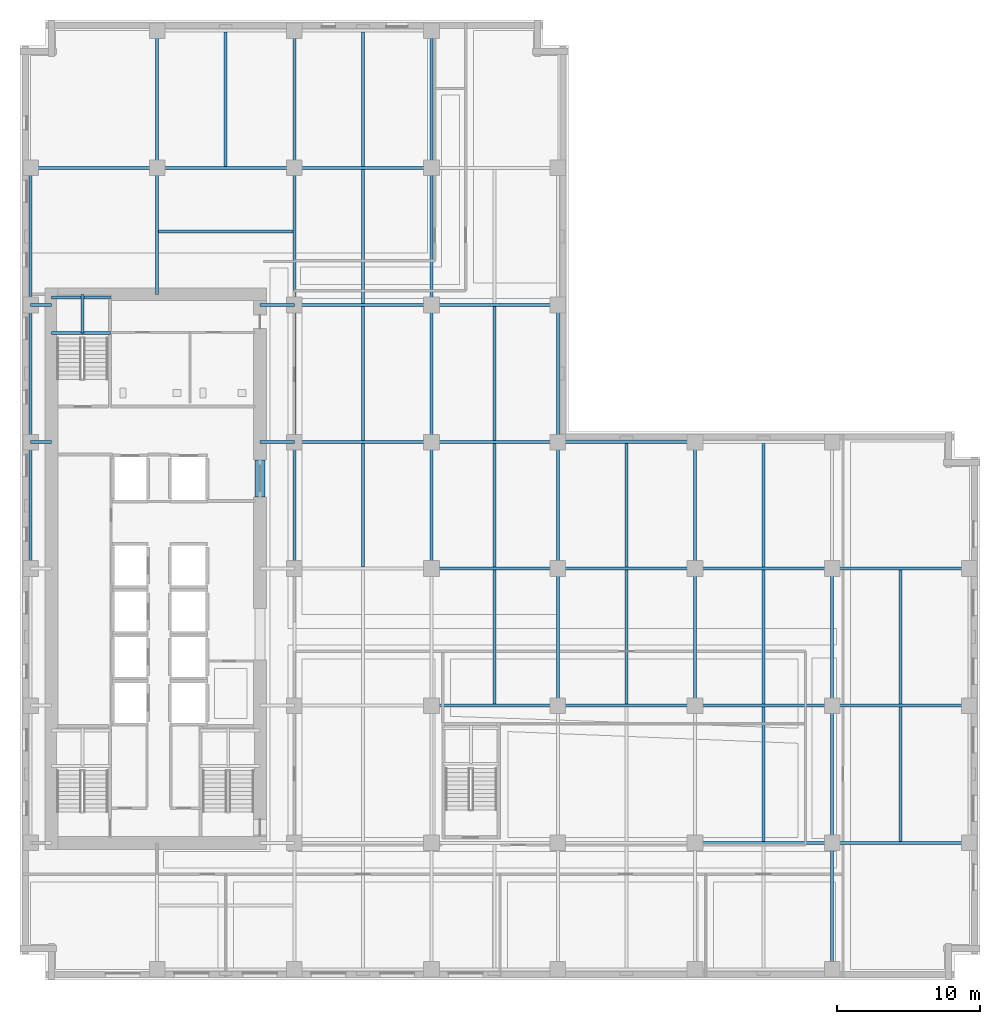
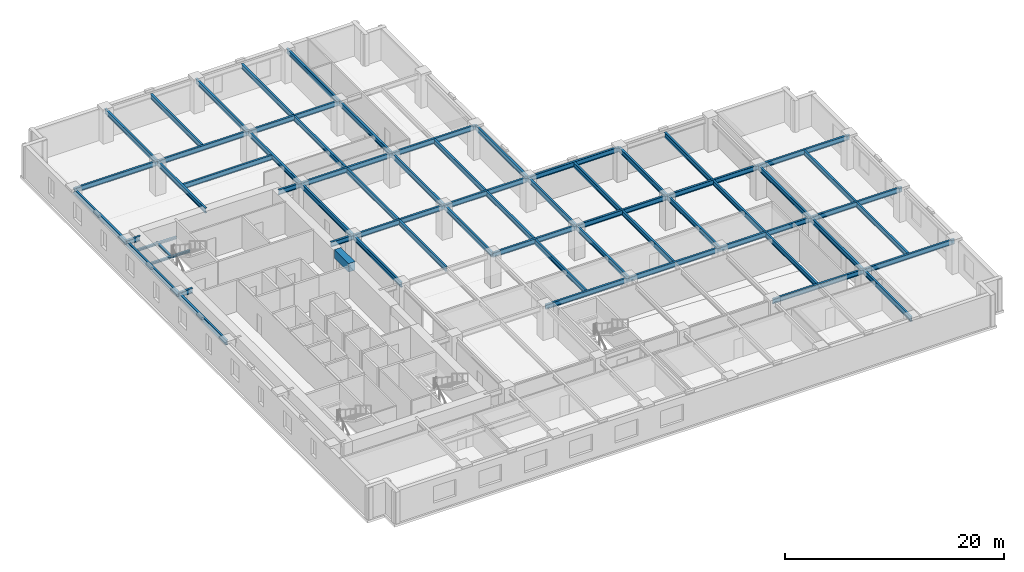
# One storey, part 2 of 13: 63 beams.
"""IFC4 building model written with IfcOpenShell, lengths in metres."""

from ifc_helpers import new_model, si_unit, direction, frame, origin, origin_2d, place, context, subcontext, project, spatial, rectangle, i_section, extrude, material, material_profile, profile_set, type_object, element, save


model = new_model("IFC4")

# Units and contexts
model_context = context("Model", 3, precision=1e-05, world=origin(), true_north=direction((0.0, 1.0)))
body_context = subcontext(model_context, "Body", "Model", "MODEL_VIEW")
ifc_project = project(units=[si_unit("LENGTHUNIT", "METRE"), si_unit("AREAUNIT", "SQUARE_METRE"), si_unit("VOLUMEUNIT", "CUBIC_METRE"), si_unit("PLANEANGLEUNIT", "RADIAN"), si_unit("MASSUNIT", "GRAM", prefix="KILO")], contexts=[model_context])

# Site, building, storey
site_placement = place(None, origin())
site = spatial("IfcSite", under=ifc_project, at=site_placement, CompositionType="ELEMENT")
building_placement = place(site_placement, origin())
building = spatial("IfcBuilding", under=site, at=building_placement, Name="Norrvale University Quadrangle", CompositionType="ELEMENT")
storey_placement = place(building_placement, frame((0.0, 0.0, 77.39990234375)))
storey = spatial("IfcBuildingStorey", under=building, at=storey_placement, Name="L19", CompositionType="ELEMENT", Elevation=77.39990234375)

# Beams
ifc_material_1 = material(Name="Concrete C80/95", Category="concrete")
ifc_material_profile_1 = material_profile(ifc_material_1, rectangle(XDim=0.699951171875, YDim=0.949951171875, at=origin_2d()), Name="Concrete C80/95")
ifc_profile_set_1 = profile_set([ifc_material_profile_1], Name="Concrete C80/95")
beam_type_1 = type_object("IfcBeamType", Name="Beam Core Link 700x950", PredefinedType="LINTEL", material=ifc_profile_set_1)
beam_1_placement = place(storey_placement, frame((16.800048828125, 33.800048828125, 3.065185546875), z_axis=(0.0, 1.0, 0.0), x_axis=(-1.0, 0.0, 0.0)))
element("IfcBeam", 1, at=beam_1_placement, inside=storey, type_object=beam_type_1, Name="Core Coupling Lintel Beam L19-2", PredefinedType="LINTEL", context=body_context, shape_type="SweptSolid", body=[
    extrude(rectangle(XDim=0.699951171875, YDim=0.949951171875, at=origin_2d()), origin(), (0.0, 0.0, 1.0), 2.599853515625),
])
ifc_material_2 = material(Name="Steel 350W", Category="steel")
ifc_material_profile_2 = material_profile(ifc_material_2, i_section(OverallWidth=0.2119140625, OverallDepth=0.5439453125, WebThickness=0.01318359375, FlangeThickness=0.021240234375, FilletRadius=0.013916015625, at=origin_2d()), Name="Steel 350W")
ifc_profile_set_2 = profile_set([ifc_material_profile_2], Name="Steel 350W")
beam_type_2 = type_object("IfcBeamType", Name="Beam Floor W530x123", PredefinedType="BEAM", material=ifc_profile_set_2)
beam_2_placement = place(storey_placement, frame((47.25, 9.60009765625, 3.26806640625), z_axis=(1.0, 0.0, 0.0), x_axis=(0.0, 1.0, 0.0)))
element("IfcBeam", 2, at=beam_2_placement, inside=storey, type_object=beam_type_2, Name="Beam Floor W530x123 BM-L19-GX009", PredefinedType="BEAM", context=body_context, shape_type="SweptSolid", body=[
    extrude(i_section(OverallWidth=0.2119140625, OverallDepth=0.5439453125, WebThickness=0.01318359375, FlangeThickness=0.021240234375, FilletRadius=0.013916015625, at=origin_2d()), origin(), (0.0, 0.0, 1.0), 9.60009765625),
])
beam_3_placement = place(storey_placement, frame((56.85009765625, 9.60009765625, 3.26806640625), z_axis=(1.0, 0.0, 0.0), x_axis=(0.0, 1.0, 0.0)))
element("IfcBeam", 3, at=beam_3_placement, inside=storey, type_object=beam_type_2, Name="Beam Floor W530x123 BM-L19-GX010", PredefinedType="BEAM", context=body_context, shape_type="SweptSolid", body=[
    extrude(i_section(OverallWidth=0.2119140625, OverallDepth=0.5439453125, WebThickness=0.01318359375, FlangeThickness=0.021240234375, FilletRadius=0.013916015625, at=origin_2d()), origin(), (0.0, 0.0, 1.0), 9.599853515625),
])
beam_4_placement = place(storey_placement, frame((28.800048828125, 19.199951171875, 3.26806640625), z_axis=(1.0, 0.0, 0.0), x_axis=(0.0, 1.0, 0.0)))
element("IfcBeam", 4, at=beam_4_placement, inside=storey, type_object=beam_type_2, Name="Beam Floor W530x123 BM-L19-GX012", PredefinedType="BEAM", context=body_context, shape_type="SweptSolid", body=[
    extrude(i_section(OverallWidth=0.2119140625, OverallDepth=0.5439453125, WebThickness=0.01318359375, FlangeThickness=0.021240234375, FilletRadius=0.013916015625, at=origin_2d()), origin(), (0.0, 0.0, 1.0), 8.849853515625),
])
for number, where, z_axis, x_axis, name in (
    (5, (37.64990234375, 19.199951171875, 3.26806640625), (1.0, 0.0, 0.0), (0.0, 1.0, 0.0), "Beam Floor W530x123 BM-L19-GX013"),
    (6, (47.25, 19.199951171875, 3.26806640625), (1.0, 0.0, 0.0), (0.0, 1.0, 0.0), "Beam Floor W530x123 BM-L19-GX014"),
):
    element("IfcBeam", number, at=place(storey_placement, frame(where, z_axis=z_axis, x_axis=x_axis)), inside=storey, type_object=beam_type_2, Name=name, PredefinedType="BEAM", context=body_context, shape_type="SweptSolid", body=[
        extrude(i_section(OverallWidth=0.2119140625, OverallDepth=0.5439453125, WebThickness=0.01318359375, FlangeThickness=0.021240234375, FilletRadius=0.013916015625, at=origin_2d()), origin(), (0.0, 0.0, 1.0), 9.60009765625),
    ])
beam_5_placement = place(storey_placement, frame((56.85009765625, 19.199951171875, 3.26806640625), z_axis=(1.0, 0.0, 0.0), x_axis=(0.0, 1.0, 0.0)))
element("IfcBeam", 7, at=beam_5_placement, inside=storey, type_object=beam_type_2, Name="Beam Floor W530x123 BM-L19-GX015", PredefinedType="BEAM", context=body_context, shape_type="SweptSolid", body=[
    extrude(i_section(OverallWidth=0.2119140625, OverallDepth=0.5439453125, WebThickness=0.01318359375, FlangeThickness=0.021240234375, FilletRadius=0.013916015625, at=origin_2d()), origin(), (0.0, 0.0, 1.0), 9.599853515625),
])
beam_6_placement = place(storey_placement, frame((28.800048828125, 28.800048828125, 3.26806640625), z_axis=(1.0, 0.0, 0.0), x_axis=(0.0, 1.0, 0.0)))
element("IfcBeam", 8, at=beam_6_placement, inside=storey, type_object=beam_type_2, Name="Beam Floor W530x123 BM-L19-GX017", PredefinedType="BEAM", context=body_context, shape_type="SweptSolid", body=[
    extrude(i_section(OverallWidth=0.2119140625, OverallDepth=0.5439453125, WebThickness=0.01318359375, FlangeThickness=0.021240234375, FilletRadius=0.013916015625, at=origin_2d()), origin(), (0.0, 0.0, 1.0), 8.849853515625),
])
for number, where, z_axis, x_axis, name in (
    (9, (37.64990234375, 28.800048828125, 3.26806640625), (1.0, 0.0, 0.0), (0.0, 1.0, 0.0), "Beam Floor W530x123 BM-L19-GX018"),
    (10, (47.25, 28.800048828125, 3.26806640625), (1.0, 0.0, 0.0), (0.0, 1.0, 0.0), "Beam Floor W530x123 BM-L19-GX019"),
):
    element("IfcBeam", number, at=place(storey_placement, frame(where, z_axis=z_axis, x_axis=x_axis)), inside=storey, type_object=beam_type_2, Name=name, PredefinedType="BEAM", context=body_context, shape_type="SweptSolid", body=[
        extrude(i_section(OverallWidth=0.2119140625, OverallDepth=0.5439453125, WebThickness=0.01318359375, FlangeThickness=0.021240234375, FilletRadius=0.013916015625, at=origin_2d()), origin(), (0.0, 0.0, 1.0), 9.60009765625),
    ])
beam_7_placement = place(storey_placement, frame((56.85009765625, 28.800048828125, 3.26806640625), z_axis=(1.0, 0.0, 0.0), x_axis=(0.0, 1.0, 0.0)))
element("IfcBeam", 11, at=beam_7_placement, inside=storey, type_object=beam_type_2, Name="Beam Floor W530x123 BM-L19-GX020", PredefinedType="BEAM", context=body_context, shape_type="SweptSolid", body=[
    extrude(i_section(OverallWidth=0.2119140625, OverallDepth=0.5439453125, WebThickness=0.01318359375, FlangeThickness=0.021240234375, FilletRadius=0.013916015625, at=origin_2d()), origin(), (0.0, 0.0, 1.0), 9.599853515625),
])
beam_8_placement = place(storey_placement, frame((19.199951171875, 37.64990234375, 3.26806640625), z_axis=(1.0, 0.0, 0.0), x_axis=(0.0, 1.0, 0.0)))
element("IfcBeam", 12, at=beam_8_placement, inside=storey, type_object=beam_type_2, Name="Beam Floor W530x123 BM-L19-GX021", PredefinedType="BEAM", context=body_context, shape_type="SweptSolid", body=[
    extrude(i_section(OverallWidth=0.2119140625, OverallDepth=0.5439453125, WebThickness=0.01318359375, FlangeThickness=0.021240234375, FilletRadius=0.013916015625, at=origin_2d()), origin(), (0.0, 0.0, 1.0), 9.60009765625),
])
beam_9_placement = place(storey_placement, frame((28.800048828125, 37.64990234375, 3.26806640625), z_axis=(1.0, 0.0, 0.0), x_axis=(0.0, 1.0, 0.0)))
element("IfcBeam", 13, at=beam_9_placement, inside=storey, type_object=beam_type_2, Name="Beam Floor W530x123 BM-L19-GX022", PredefinedType="BEAM", context=body_context, shape_type="SweptSolid", body=[
    extrude(i_section(OverallWidth=0.2119140625, OverallDepth=0.5439453125, WebThickness=0.01318359375, FlangeThickness=0.021240234375, FilletRadius=0.013916015625, at=origin_2d()), origin(), (0.0, 0.0, 1.0), 8.849853515625),
])
for number, where, z_axis, x_axis, name in (
    (14, (37.64990234375, 37.64990234375, 3.26806640625), (1.0, 0.0, 0.0), (0.0, 1.0, 0.0), "Beam Floor W530x123 BM-L19-GX023"),
    (15, (19.199951171875, 47.25, 3.26806640625), (1.0, 0.0, 0.0), (0.0, 1.0, 0.0), "Beam Floor W530x123 BM-L19-GX025"),
):
    element("IfcBeam", number, at=place(storey_placement, frame(where, z_axis=z_axis, x_axis=x_axis)), inside=storey, type_object=beam_type_2, Name=name, PredefinedType="BEAM", context=body_context, shape_type="SweptSolid", body=[
        extrude(i_section(OverallWidth=0.2119140625, OverallDepth=0.5439453125, WebThickness=0.01318359375, FlangeThickness=0.021240234375, FilletRadius=0.013916015625, at=origin_2d()), origin(), (0.0, 0.0, 1.0), 9.60009765625),
    ])
beam_10_placement = place(storey_placement, frame((28.800048828125, 47.25, 3.26806640625), z_axis=(1.0, 0.0, 0.0), x_axis=(0.0, 1.0, 0.0)))
element("IfcBeam", 16, at=beam_10_placement, inside=storey, type_object=beam_type_2, Name="Beam Floor W530x123 BM-L19-GX026", PredefinedType="BEAM", context=body_context, shape_type="SweptSolid", body=[
    extrude(i_section(OverallWidth=0.2119140625, OverallDepth=0.5439453125, WebThickness=0.01318359375, FlangeThickness=0.021240234375, FilletRadius=0.013916015625, at=origin_2d()), origin(), (0.0, 0.0, 1.0), 8.849853515625),
])
beam_11_placement = place(storey_placement, frame((0.75, 56.85009765625, 3.26806640625), z_axis=(1.0, 0.0, 0.0), x_axis=(0.0, 1.0, 0.0)))
element("IfcBeam", 17, at=beam_11_placement, inside=storey, type_object=beam_type_2, Name="Beam Floor W530x123 BM-L19-GX027", PredefinedType="BEAM", context=body_context, shape_type="SweptSolid", body=[
    extrude(i_section(OverallWidth=0.2119140625, OverallDepth=0.5439453125, WebThickness=0.01318359375, FlangeThickness=0.021240234375, FilletRadius=0.013916015625, at=origin_2d()), origin(), (0.0, 0.0, 1.0), 8.85009765625),
])
beam_12_placement = place(storey_placement, frame((9.60009765625, 56.85009765625, 3.26806640625), z_axis=(1.0, 0.0, 0.0), x_axis=(0.0, 1.0, 0.0)))
element("IfcBeam", 18, at=beam_12_placement, inside=storey, type_object=beam_type_2, Name="Beam Floor W530x123 BM-L19-GX028", PredefinedType="BEAM", context=body_context, shape_type="SweptSolid", body=[
    extrude(i_section(OverallWidth=0.2119140625, OverallDepth=0.5439453125, WebThickness=0.01318359375, FlangeThickness=0.021240234375, FilletRadius=0.013916015625, at=origin_2d()), origin(), (0.0, 0.0, 1.0), 9.599853515625),
])
beam_13_placement = place(storey_placement, frame((19.199951171875, 56.85009765625, 3.26806640625), z_axis=(1.0, 0.0, 0.0), x_axis=(0.0, 1.0, 0.0)))
element("IfcBeam", 19, at=beam_13_placement, inside=storey, type_object=beam_type_2, Name="Beam Floor W530x123 BM-L19-GX029", PredefinedType="BEAM", context=body_context, shape_type="SweptSolid", body=[
    extrude(i_section(OverallWidth=0.2119140625, OverallDepth=0.5439453125, WebThickness=0.01318359375, FlangeThickness=0.021240234375, FilletRadius=0.013916015625, at=origin_2d()), origin(), (0.0, 0.0, 1.0), 9.60009765625),
])
beam_14_placement = place(storey_placement, frame((0.75, 28.800048828125, 3.26806640625), z_axis=(0.0, 1.0, 0.0), x_axis=(-1.0, 0.0, 0.0)))
element("IfcBeam", 20, at=beam_14_placement, inside=storey, type_object=beam_type_2, Name="Beam Floor W530x123 BM-L19-GY035", PredefinedType="BEAM", context=body_context, shape_type="SweptSolid", body=[
    extrude(i_section(OverallWidth=0.2119140625, OverallDepth=0.5439453125, WebThickness=0.01318359375, FlangeThickness=0.021240234375, FilletRadius=0.013916015625, at=origin_2d()), origin(), (0.0, 0.0, 1.0), 8.849853515625),
])
for number, where, z_axis, x_axis, name in (
    (21, (0.75, 37.64990234375, 3.26806640625), (0.0, 1.0, 0.0), (-1.0, 0.0, 0.0), "Beam Floor W530x123 BM-L19-GY036"),
    (22, (0.75, 47.25, 3.26806640625), (0.0, 1.0, 0.0), (-1.0, 0.0, 0.0), "Beam Floor W530x123 BM-L19-GY037"),
):
    element("IfcBeam", number, at=place(storey_placement, frame(where, z_axis=z_axis, x_axis=x_axis)), inside=storey, type_object=beam_type_2, Name=name, PredefinedType="BEAM", context=body_context, shape_type="SweptSolid", body=[
        extrude(i_section(OverallWidth=0.2119140625, OverallDepth=0.5439453125, WebThickness=0.01318359375, FlangeThickness=0.021240234375, FilletRadius=0.013916015625, at=origin_2d()), origin(), (0.0, 0.0, 1.0), 9.60009765625),
    ])
beam_15_placement = place(storey_placement, frame((9.60009765625, 56.85009765625, 3.26806640625), z_axis=(0.0, 1.0, 0.0), x_axis=(-1.0, 0.0, 0.0)))
element("IfcBeam", 23, at=beam_15_placement, inside=storey, type_object=beam_type_2, Name="Beam Floor W530x123 BM-L19-GY038", PredefinedType="BEAM", context=body_context, shape_type="SweptSolid", body=[
    extrude(i_section(OverallWidth=0.2119140625, OverallDepth=0.5439453125, WebThickness=0.01318359375, FlangeThickness=0.021240234375, FilletRadius=0.013916015625, at=origin_2d()), origin(), (0.0, 0.0, 1.0), 9.599853515625),
])
beam_16_placement = place(storey_placement, frame((19.199951171875, 28.800048828125, 3.26806640625), z_axis=(0.0, 1.0, 0.0), x_axis=(-1.0, 0.0, 0.0)))
element("IfcBeam", 24, at=beam_16_placement, inside=storey, type_object=beam_type_2, Name="Beam Floor W530x123 BM-L19-GY042", PredefinedType="BEAM", context=body_context, shape_type="SweptSolid", body=[
    extrude(i_section(OverallWidth=0.2119140625, OverallDepth=0.5439453125, WebThickness=0.01318359375, FlangeThickness=0.021240234375, FilletRadius=0.013916015625, at=origin_2d()), origin(), (0.0, 0.0, 1.0), 8.849853515625),
])
for number, where, z_axis, x_axis, name in (
    (25, (19.199951171875, 37.64990234375, 3.26806640625), (0.0, 1.0, 0.0), (-1.0, 0.0, 0.0), "Beam Floor W530x123 BM-L19-GY043"),
    (26, (19.199951171875, 47.25, 3.26806640625), (0.0, 1.0, 0.0), (-1.0, 0.0, 0.0), "Beam Floor W530x123 BM-L19-GY044"),
):
    element("IfcBeam", number, at=place(storey_placement, frame(where, z_axis=z_axis, x_axis=x_axis)), inside=storey, type_object=beam_type_2, Name=name, PredefinedType="BEAM", context=body_context, shape_type="SweptSolid", body=[
        extrude(i_section(OverallWidth=0.2119140625, OverallDepth=0.5439453125, WebThickness=0.01318359375, FlangeThickness=0.021240234375, FilletRadius=0.013916015625, at=origin_2d()), origin(), (0.0, 0.0, 1.0), 9.60009765625),
    ])
beam_17_placement = place(storey_placement, frame((19.199951171875, 56.85009765625, 3.26806640625), z_axis=(0.0, 1.0, 0.0), x_axis=(-1.0, 0.0, 0.0)))
element("IfcBeam", 27, at=beam_17_placement, inside=storey, type_object=beam_type_2, Name="Beam Floor W530x123 BM-L19-GY045", PredefinedType="BEAM", context=body_context, shape_type="SweptSolid", body=[
    extrude(i_section(OverallWidth=0.2119140625, OverallDepth=0.5439453125, WebThickness=0.01318359375, FlangeThickness=0.021240234375, FilletRadius=0.013916015625, at=origin_2d()), origin(), (0.0, 0.0, 1.0), 9.599853515625),
])
beam_18_placement = place(storey_placement, frame((28.800048828125, 28.800048828125, 3.26806640625), z_axis=(0.0, 1.0, 0.0), x_axis=(-1.0, 0.0, 0.0)))
element("IfcBeam", 28, at=beam_18_placement, inside=storey, type_object=beam_type_2, Name="Beam Floor W530x123 BM-L19-GY049", PredefinedType="BEAM", context=body_context, shape_type="SweptSolid", body=[
    extrude(i_section(OverallWidth=0.2119140625, OverallDepth=0.5439453125, WebThickness=0.01318359375, FlangeThickness=0.021240234375, FilletRadius=0.013916015625, at=origin_2d()), origin(), (0.0, 0.0, 1.0), 8.849853515625),
])
for number, where, z_axis, x_axis, name in (
    (29, (28.800048828125, 37.64990234375, 3.26806640625), (0.0, 1.0, 0.0), (-1.0, 0.0, 0.0), "Beam Floor W530x123 BM-L19-GY050"),
    (30, (28.800048828125, 47.25, 3.26806640625), (0.0, 1.0, 0.0), (-1.0, 0.0, 0.0), "Beam Floor W530x123 BM-L19-GY051"),
):
    element("IfcBeam", number, at=place(storey_placement, frame(where, z_axis=z_axis, x_axis=x_axis)), inside=storey, type_object=beam_type_2, Name=name, PredefinedType="BEAM", context=body_context, shape_type="SweptSolid", body=[
        extrude(i_section(OverallWidth=0.2119140625, OverallDepth=0.5439453125, WebThickness=0.01318359375, FlangeThickness=0.021240234375, FilletRadius=0.013916015625, at=origin_2d()), origin(), (0.0, 0.0, 1.0), 9.60009765625),
    ])
beam_19_placement = place(storey_placement, frame((28.800048828125, 56.85009765625, 3.26806640625), z_axis=(0.0, 1.0, 0.0), x_axis=(-1.0, 0.0, 0.0)))
element("IfcBeam", 31, at=beam_19_placement, inside=storey, type_object=beam_type_2, Name="Beam Floor W530x123 BM-L19-GY052", PredefinedType="BEAM", context=body_context, shape_type="SweptSolid", body=[
    extrude(i_section(OverallWidth=0.2119140625, OverallDepth=0.5439453125, WebThickness=0.01318359375, FlangeThickness=0.021240234375, FilletRadius=0.013916015625, at=origin_2d()), origin(), (0.0, 0.0, 1.0), 9.599853515625),
])
beam_20_placement = place(storey_placement, frame((37.64990234375, 19.199951171875, 3.26806640625), z_axis=(0.0, 1.0, 0.0), x_axis=(-1.0, 0.0, 0.0)))
element("IfcBeam", 32, at=beam_20_placement, inside=storey, type_object=beam_type_2, Name="Beam Floor W530x123 BM-L19-GY055", PredefinedType="BEAM", context=body_context, shape_type="SweptSolid", body=[
    extrude(i_section(OverallWidth=0.2119140625, OverallDepth=0.5439453125, WebThickness=0.01318359375, FlangeThickness=0.021240234375, FilletRadius=0.013916015625, at=origin_2d()), origin(), (0.0, 0.0, 1.0), 9.60009765625),
])
beam_21_placement = place(storey_placement, frame((37.64990234375, 28.800048828125, 3.26806640625), z_axis=(0.0, 1.0, 0.0), x_axis=(-1.0, 0.0, 0.0)))
element("IfcBeam", 33, at=beam_21_placement, inside=storey, type_object=beam_type_2, Name="Beam Floor W530x123 BM-L19-GY056", PredefinedType="BEAM", context=body_context, shape_type="SweptSolid", body=[
    extrude(i_section(OverallWidth=0.2119140625, OverallDepth=0.5439453125, WebThickness=0.01318359375, FlangeThickness=0.021240234375, FilletRadius=0.013916015625, at=origin_2d()), origin(), (0.0, 0.0, 1.0), 8.849853515625),
])
for number, where, z_axis, x_axis, name in (
    (34, (37.64990234375, 37.64990234375, 3.26806640625), (0.0, 1.0, 0.0), (-1.0, 0.0, 0.0), "Beam Floor W530x123 BM-L19-GY057"),
    (35, (47.25, 19.199951171875, 3.26806640625), (0.0, 1.0, 0.0), (-1.0, 0.0, 0.0), "Beam Floor W530x123 BM-L19-GY061"),
):
    element("IfcBeam", number, at=place(storey_placement, frame(where, z_axis=z_axis, x_axis=x_axis)), inside=storey, type_object=beam_type_2, Name=name, PredefinedType="BEAM", context=body_context, shape_type="SweptSolid", body=[
        extrude(i_section(OverallWidth=0.2119140625, OverallDepth=0.5439453125, WebThickness=0.01318359375, FlangeThickness=0.021240234375, FilletRadius=0.013916015625, at=origin_2d()), origin(), (0.0, 0.0, 1.0), 9.60009765625),
    ])
beam_22_placement = place(storey_placement, frame((47.25, 28.800048828125, 3.26806640625), z_axis=(0.0, 1.0, 0.0), x_axis=(-1.0, 0.0, 0.0)))
element("IfcBeam", 36, at=beam_22_placement, inside=storey, type_object=beam_type_2, Name="Beam Floor W530x123 BM-L19-GY062", PredefinedType="BEAM", context=body_context, shape_type="SweptSolid", body=[
    extrude(i_section(OverallWidth=0.2119140625, OverallDepth=0.5439453125, WebThickness=0.01318359375, FlangeThickness=0.021240234375, FilletRadius=0.013916015625, at=origin_2d()), origin(), (0.0, 0.0, 1.0), 8.849853515625),
])
beam_23_placement = place(storey_placement, frame((56.85009765625, 0.75, 3.26806640625), z_axis=(0.0, 1.0, 0.0), x_axis=(-1.0, 0.0, 0.0)))
element("IfcBeam", 37, at=beam_23_placement, inside=storey, type_object=beam_type_2, Name="Beam Floor W530x123 BM-L19-GY063", PredefinedType="BEAM", context=body_context, shape_type="SweptSolid", body=[
    extrude(i_section(OverallWidth=0.2119140625, OverallDepth=0.5439453125, WebThickness=0.01318359375, FlangeThickness=0.021240234375, FilletRadius=0.013916015625, at=origin_2d()), origin(), (0.0, 0.0, 1.0), 8.85009765625),
])
beam_24_placement = place(storey_placement, frame((56.85009765625, 9.60009765625, 3.26806640625), z_axis=(0.0, 1.0, 0.0), x_axis=(-1.0, 0.0, 0.0)))
element("IfcBeam", 38, at=beam_24_placement, inside=storey, type_object=beam_type_2, Name="Beam Floor W530x123 BM-L19-GY064", PredefinedType="BEAM", context=body_context, shape_type="SweptSolid", body=[
    extrude(i_section(OverallWidth=0.2119140625, OverallDepth=0.5439453125, WebThickness=0.01318359375, FlangeThickness=0.021240234375, FilletRadius=0.013916015625, at=origin_2d()), origin(), (0.0, 0.0, 1.0), 9.599853515625),
])
beam_25_placement = place(storey_placement, frame((56.85009765625, 19.199951171875, 3.26806640625), z_axis=(0.0, 1.0, 0.0), x_axis=(-1.0, 0.0, 0.0)))
element("IfcBeam", 39, at=beam_25_placement, inside=storey, type_object=beam_type_2, Name="Beam Floor W530x123 BM-L19-GY065", PredefinedType="BEAM", context=body_context, shape_type="SweptSolid", body=[
    extrude(i_section(OverallWidth=0.2119140625, OverallDepth=0.5439453125, WebThickness=0.01318359375, FlangeThickness=0.021240234375, FilletRadius=0.013916015625, at=origin_2d()), origin(), (0.0, 0.0, 1.0), 9.60009765625),
])
beam_26_placement = place(storey_placement, frame((0.75, 37.64990234375, 3.26806640625), z_axis=(1.0, 0.0, 0.0), x_axis=(0.0, 1.0, 0.0)))
element("IfcBeam", 40, at=beam_26_placement, inside=storey, type_object=beam_type_2, Name="Beam Floor W530x123 BM-L19-GCW075", PredefinedType="BEAM", context=body_context, shape_type="SweptSolid", body=[
    extrude(i_section(OverallWidth=0.2119140625, OverallDepth=0.5439453125, WebThickness=0.01318359375, FlangeThickness=0.021240234375, FilletRadius=0.013916015625, at=origin_2d()), origin(), (0.0, 0.0, 1.0), 1.449951171875),
])
beam_27_placement = place(storey_placement, frame((16.800048828125, 37.64990234375, 3.26806640625), z_axis=(1.0, 0.0, 0.0), x_axis=(0.0, 1.0, 0.0)))
element("IfcBeam", 41, at=beam_27_placement, inside=storey, type_object=beam_type_2, Name="Beam Floor W530x123 BM-L19-GCE076", PredefinedType="BEAM", context=body_context, shape_type="SweptSolid", body=[
    extrude(i_section(OverallWidth=0.2119140625, OverallDepth=0.5439453125, WebThickness=0.01318359375, FlangeThickness=0.021240234375, FilletRadius=0.013916015625, at=origin_2d()), origin(), (0.0, 0.0, 1.0), 2.39990234375),
])
beam_28_placement = place(storey_placement, frame((0.75, 47.25, 3.26806640625), z_axis=(1.0, 0.0, 0.0), x_axis=(0.0, 1.0, 0.0)))
element("IfcBeam", 42, at=beam_28_placement, inside=storey, type_object=beam_type_2, Name="Beam Floor W530x123 BM-L19-GCW077", PredefinedType="BEAM", context=body_context, shape_type="SweptSolid", body=[
    extrude(i_section(OverallWidth=0.2119140625, OverallDepth=0.5439453125, WebThickness=0.01318359375, FlangeThickness=0.021240234375, FilletRadius=0.013916015625, at=origin_2d()), origin(), (0.0, 0.0, 1.0), 1.449951171875),
])
beam_29_placement = place(storey_placement, frame((16.800048828125, 47.25, 3.26806640625), z_axis=(1.0, 0.0, 0.0), x_axis=(0.0, 1.0, 0.0)))
element("IfcBeam", 43, at=beam_29_placement, inside=storey, type_object=beam_type_2, Name="Beam Floor W530x123 BM-L19-GCE078", PredefinedType="BEAM", context=body_context, shape_type="SweptSolid", body=[
    extrude(i_section(OverallWidth=0.2119140625, OverallDepth=0.5439453125, WebThickness=0.01318359375, FlangeThickness=0.021240234375, FilletRadius=0.013916015625, at=origin_2d()), origin(), (0.0, 0.0, 1.0), 2.39990234375),
])
beam_30_placement = place(storey_placement, frame((9.60009765625, 48.0, 3.26806640625), z_axis=(0.0, 1.0, 0.0), x_axis=(-1.0, 0.0, 0.0)))
element("IfcBeam", 44, at=beam_30_placement, inside=storey, type_object=beam_type_2, Name="Beam Floor W530x123 BM-L19-GCN104", PredefinedType="BEAM", context=body_context, shape_type="SweptSolid", body=[
    extrude(i_section(OverallWidth=0.2119140625, OverallDepth=0.5439453125, WebThickness=0.01318359375, FlangeThickness=0.021240234375, FilletRadius=0.013916015625, at=origin_2d()), origin(), (0.0, 0.0, 1.0), 8.85009765625),
])
ifc_material_profile_3 = material_profile(ifc_material_2, i_section(OverallWidth=0.208984375, OverallDepth=0.532958984375, WebThickness=0.01025390625, FlangeThickness=0.015625, FilletRadius=0.013916015625, at=origin_2d()), Name="Steel 350W")
ifc_profile_set_3 = profile_set([ifc_material_profile_3], Name="Steel 350W")
beam_type_3 = type_object("IfcBeamType", Name="Beam Floor W530x92", PredefinedType="JOIST", material=ifc_profile_set_3)
beam_31_placement = place(storey_placement, frame((14.39990234375, 56.9560546875, 3.273681640625), z_axis=(0.0, 1.0, 0.0), x_axis=(-1.0, 0.0, 0.0)))
element("IfcBeam", 45, at=beam_31_placement, inside=storey, type_object=beam_type_3, Name="Beam Floor W530x92 BM-L19-J079", PredefinedType="JOIST", context=body_context, shape_type="SweptSolid", body=[
    extrude(i_section(OverallWidth=0.208984375, OverallDepth=0.532958984375, WebThickness=0.01025390625, FlangeThickness=0.015625, FilletRadius=0.013916015625, at=origin_2d()), origin(), (0.0, 0.0, 1.0), 9.387939453125),
])
beam_32_placement = place(storey_placement, frame((24.0, 28.906005859375, 3.273681640625), z_axis=(0.0, 1.0, 0.0), x_axis=(-1.0, 0.0, 0.0)))
element("IfcBeam", 46, at=beam_32_placement, inside=storey, type_object=beam_type_3, Name="Beam Floor W530x92 BM-L19-J083", PredefinedType="JOIST", context=body_context, shape_type="SweptSolid", body=[
    extrude(i_section(OverallWidth=0.208984375, OverallDepth=0.532958984375, WebThickness=0.01025390625, FlangeThickness=0.015625, FilletRadius=0.013916015625, at=origin_2d()), origin(), (0.0, 0.0, 1.0), 8.637939453125),
])
for number, where, z_axis, x_axis, name in (
    (47, (24.0, 37.756103515625, 3.273681640625), (0.0, 1.0, 0.0), (-1.0, 0.0, 0.0), "Beam Floor W530x92 BM-L19-J084"),
    (48, (24.0, 47.35595703125, 3.273681640625), (0.0, 1.0, 0.0), (-1.0, 0.0, 0.0), "Beam Floor W530x92 BM-L19-J085"),
    (49, (24.0, 56.9560546875, 3.273681640625), (0.0, 1.0, 0.0), (-1.0, 0.0, 0.0), "Beam Floor W530x92 BM-L19-J086"),
):
    element("IfcBeam", number, at=place(storey_placement, frame(where, z_axis=z_axis, x_axis=x_axis)), inside=storey, type_object=beam_type_3, Name=name, PredefinedType="JOIST", context=body_context, shape_type="SweptSolid", body=[
        extrude(i_section(OverallWidth=0.208984375, OverallDepth=0.532958984375, WebThickness=0.01025390625, FlangeThickness=0.015625, FilletRadius=0.013916015625, at=origin_2d()), origin(), (0.0, 0.0, 1.0), 9.387939453125),
    ])
beam_33_placement = place(storey_placement, frame((33.22509765625, 19.305908203125, 3.273681640625), z_axis=(0.0, 1.0, 0.0), x_axis=(-1.0, 0.0, 0.0)))
element("IfcBeam", 50, at=beam_33_placement, inside=storey, type_object=beam_type_3, Name="Beam Floor W530x92 BM-L19-J088", PredefinedType="JOIST", context=body_context, shape_type="SweptSolid", body=[
    extrude(i_section(OverallWidth=0.208984375, OverallDepth=0.532958984375, WebThickness=0.01025390625, FlangeThickness=0.015625, FilletRadius=0.013916015625, at=origin_2d()), origin(), (0.0, 0.0, 1.0), 9.38818359375),
])
beam_34_placement = place(storey_placement, frame((33.22509765625, 28.906005859375, 3.273681640625), z_axis=(0.0, 1.0, 0.0), x_axis=(-1.0, 0.0, 0.0)))
element("IfcBeam", 51, at=beam_34_placement, inside=storey, type_object=beam_type_3, Name="Beam Floor W530x92 BM-L19-J089", PredefinedType="JOIST", context=body_context, shape_type="SweptSolid", body=[
    extrude(i_section(OverallWidth=0.208984375, OverallDepth=0.532958984375, WebThickness=0.01025390625, FlangeThickness=0.015625, FilletRadius=0.013916015625, at=origin_2d()), origin(), (0.0, 0.0, 1.0), 8.637939453125),
])
beam_35_placement = place(storey_placement, frame((33.22509765625, 37.756103515625, 3.273681640625), z_axis=(0.0, 1.0, 0.0), x_axis=(-1.0, 0.0, 0.0)))
element("IfcBeam", 52, at=beam_35_placement, inside=storey, type_object=beam_type_3, Name="Beam Floor W530x92 BM-L19-J090", PredefinedType="JOIST", context=body_context, shape_type="SweptSolid", body=[
    extrude(i_section(OverallWidth=0.208984375, OverallDepth=0.532958984375, WebThickness=0.01025390625, FlangeThickness=0.015625, FilletRadius=0.013916015625, at=origin_2d()), origin(), (0.0, 0.0, 1.0), 9.387939453125),
])
beam_36_placement = place(storey_placement, frame((42.449951171875, 19.305908203125, 3.273681640625), z_axis=(0.0, 1.0, 0.0), x_axis=(-1.0, 0.0, 0.0)))
element("IfcBeam", 53, at=beam_36_placement, inside=storey, type_object=beam_type_3, Name="Beam Floor W530x92 BM-L19-J094", PredefinedType="JOIST", context=body_context, shape_type="SweptSolid", body=[
    extrude(i_section(OverallWidth=0.208984375, OverallDepth=0.532958984375, WebThickness=0.01025390625, FlangeThickness=0.015625, FilletRadius=0.013916015625, at=origin_2d()), origin(), (0.0, 0.0, 1.0), 9.38818359375),
])
beam_37_placement = place(storey_placement, frame((42.449951171875, 28.906005859375, 3.273681640625), z_axis=(0.0, 1.0, 0.0), x_axis=(-1.0, 0.0, 0.0)))
element("IfcBeam", 54, at=beam_37_placement, inside=storey, type_object=beam_type_3, Name="Beam Floor W530x92 BM-L19-J095", PredefinedType="JOIST", context=body_context, shape_type="SweptSolid", body=[
    extrude(i_section(OverallWidth=0.208984375, OverallDepth=0.532958984375, WebThickness=0.01025390625, FlangeThickness=0.015625, FilletRadius=0.013916015625, at=origin_2d()), origin(), (0.0, 0.0, 1.0), 8.637939453125),
])
beam_38_placement = place(storey_placement, frame((52.050048828125, 9.7060546875, 3.273681640625), z_axis=(0.0, 1.0, 0.0), x_axis=(-1.0, 0.0, 0.0)))
element("IfcBeam", 55, at=beam_38_placement, inside=storey, type_object=beam_type_3, Name="Beam Floor W530x92 BM-L19-J097", PredefinedType="JOIST", context=body_context, shape_type="SweptSolid", body=[
    extrude(i_section(OverallWidth=0.208984375, OverallDepth=0.532958984375, WebThickness=0.01025390625, FlangeThickness=0.015625, FilletRadius=0.013916015625, at=origin_2d()), origin(), (0.0, 0.0, 1.0), 9.387939453125),
])
beam_39_placement = place(storey_placement, frame((52.050048828125, 19.305908203125, 3.273681640625), z_axis=(0.0, 1.0, 0.0), x_axis=(-1.0, 0.0, 0.0)))
element("IfcBeam", 56, at=beam_39_placement, inside=storey, type_object=beam_type_3, Name="Beam Floor W530x92 BM-L19-J098", PredefinedType="JOIST", context=body_context, shape_type="SweptSolid", body=[
    extrude(i_section(OverallWidth=0.208984375, OverallDepth=0.532958984375, WebThickness=0.01025390625, FlangeThickness=0.015625, FilletRadius=0.013916015625, at=origin_2d()), origin(), (0.0, 0.0, 1.0), 9.38818359375),
])
beam_40_placement = place(storey_placement, frame((52.050048828125, 28.906005859375, 3.273681640625), z_axis=(0.0, 1.0, 0.0), x_axis=(-1.0, 0.0, 0.0)))
element("IfcBeam", 57, at=beam_40_placement, inside=storey, type_object=beam_type_3, Name="Beam Floor W530x92 BM-L19-J099", PredefinedType="JOIST", context=body_context, shape_type="SweptSolid", body=[
    extrude(i_section(OverallWidth=0.208984375, OverallDepth=0.532958984375, WebThickness=0.01025390625, FlangeThickness=0.015625, FilletRadius=0.013916015625, at=origin_2d()), origin(), (0.0, 0.0, 1.0), 8.637939453125),
])
beam_41_placement = place(storey_placement, frame((61.64990234375, 9.7060546875, 3.273681640625), z_axis=(0.0, 1.0, 0.0), x_axis=(-1.0, 0.0, 0.0)))
element("IfcBeam", 58, at=beam_41_placement, inside=storey, type_object=beam_type_3, Name="Beam Floor W530x92 BM-L19-J100", PredefinedType="JOIST", context=body_context, shape_type="SweptSolid", body=[
    extrude(i_section(OverallWidth=0.208984375, OverallDepth=0.532958984375, WebThickness=0.01025390625, FlangeThickness=0.015625, FilletRadius=0.013916015625, at=origin_2d()), origin(), (0.0, 0.0, 1.0), 9.387939453125),
])
beam_42_placement = place(storey_placement, frame((61.64990234375, 19.305908203125, 3.273681640625), z_axis=(0.0, 1.0, 0.0), x_axis=(-1.0, 0.0, 0.0)))
element("IfcBeam", 59, at=beam_42_placement, inside=storey, type_object=beam_type_3, Name="Beam Floor W530x92 BM-L19-J101", PredefinedType="JOIST", context=body_context, shape_type="SweptSolid", body=[
    extrude(i_section(OverallWidth=0.208984375, OverallDepth=0.532958984375, WebThickness=0.01025390625, FlangeThickness=0.015625, FilletRadius=0.013916015625, at=origin_2d()), origin(), (0.0, 0.0, 1.0), 9.38818359375),
])
beam_43_placement = place(storey_placement, frame((9.7060546875, 52.39990234375, 3.273681640625), z_axis=(1.0, 0.0, 0.0), x_axis=(0.0, 1.0, 0.0)))
element("IfcBeam", 60, at=beam_43_placement, inside=storey, type_object=beam_type_3, Name="Beam Floor W530x92 BM-L19-JCN105", PredefinedType="JOIST", context=body_context, shape_type="SweptSolid", body=[
    extrude(i_section(OverallWidth=0.208984375, OverallDepth=0.532958984375, WebThickness=0.01025390625, FlangeThickness=0.015625, FilletRadius=0.013916015625, at=origin_2d()), origin(), (0.0, 0.0, 1.0), 9.387939453125),
])
ifc_material_profile_4 = material_profile(ifc_material_2, i_section(OverallWidth=0.201904296875, OverallDepth=0.2470703125, WebThickness=0.00732421875, FlangeThickness=0.010986328125, FilletRadius=0.011962890625, at=origin_2d()), Name="Steel 350W")
ifc_profile_set_4 = profile_set([ifc_material_profile_4], Name="Steel 350W")
beam_type_4 = type_object("IfcBeamType", Name="Beam Stair W250x49", PredefinedType="BEAM", material=ifc_profile_set_4)
for number, where, z_axis, x_axis, name in (
    (61, (2.199951171875, 45.2900390625, 1.57666015625), (1.0, 0.0, 0.0), (0.0, 1.0, 0.0), "Stair Mid-Landing Front Beam ST-02 L19"),
    (62, (2.199951171875, 47.77001953125, 1.57666015625), (1.0, 0.0, 0.0), (0.0, 1.0, 0.0), "Stair Mid-Landing Rear Beam ST-02 L19"),
):
    element("IfcBeam", number, at=place(storey_placement, frame(where, z_axis=z_axis, x_axis=x_axis)), inside=storey, type_object=beam_type_4, Name=name, PredefinedType="BEAM", context=body_context, shape_type="SweptSolid", body=[
        extrude(i_section(OverallWidth=0.201904296875, OverallDepth=0.2470703125, WebThickness=0.00732421875, FlangeThickness=0.010986328125, FilletRadius=0.011962890625, at=origin_2d()), origin(), (0.0, 0.0, 1.0), 4.14013671875),
    ])
ifc_material_profile_5 = material_profile(ifc_material_2, i_section(OverallWidth=0.202880859375, OverallDepth=0.202880859375, WebThickness=0.007080078125, FlangeThickness=0.010986328125, FilletRadius=0.010009765625, at=origin_2d()), Name="Steel 350W")
ifc_profile_set_5 = profile_set([ifc_material_profile_5], Name="Steel 350W")
beam_type_5 = type_object("IfcBeamType", Name="Beam Trim W200x46", PredefinedType="BEAM", material=ifc_profile_set_5)
beam_44_placement = place(storey_placement, frame((4.375, 45.2900390625, 1.5986328125), z_axis=(0.0, 1.0, 0.0), x_axis=(-1.0, 0.0, 0.0)))
element("IfcBeam", 63, at=beam_44_placement, inside=storey, type_object=beam_type_5, Name="Stair Mid-Landing Cross Beam ST-02 L19", PredefinedType="BEAM", context=body_context, shape_type="SweptSolid", body=[
    extrude(i_section(OverallWidth=0.202880859375, OverallDepth=0.202880859375, WebThickness=0.007080078125, FlangeThickness=0.010986328125, FilletRadius=0.010009765625, at=origin_2d()), origin(), (0.0, 0.0, 1.0), 2.7099609375),
])

save(model, "model.ifc")
